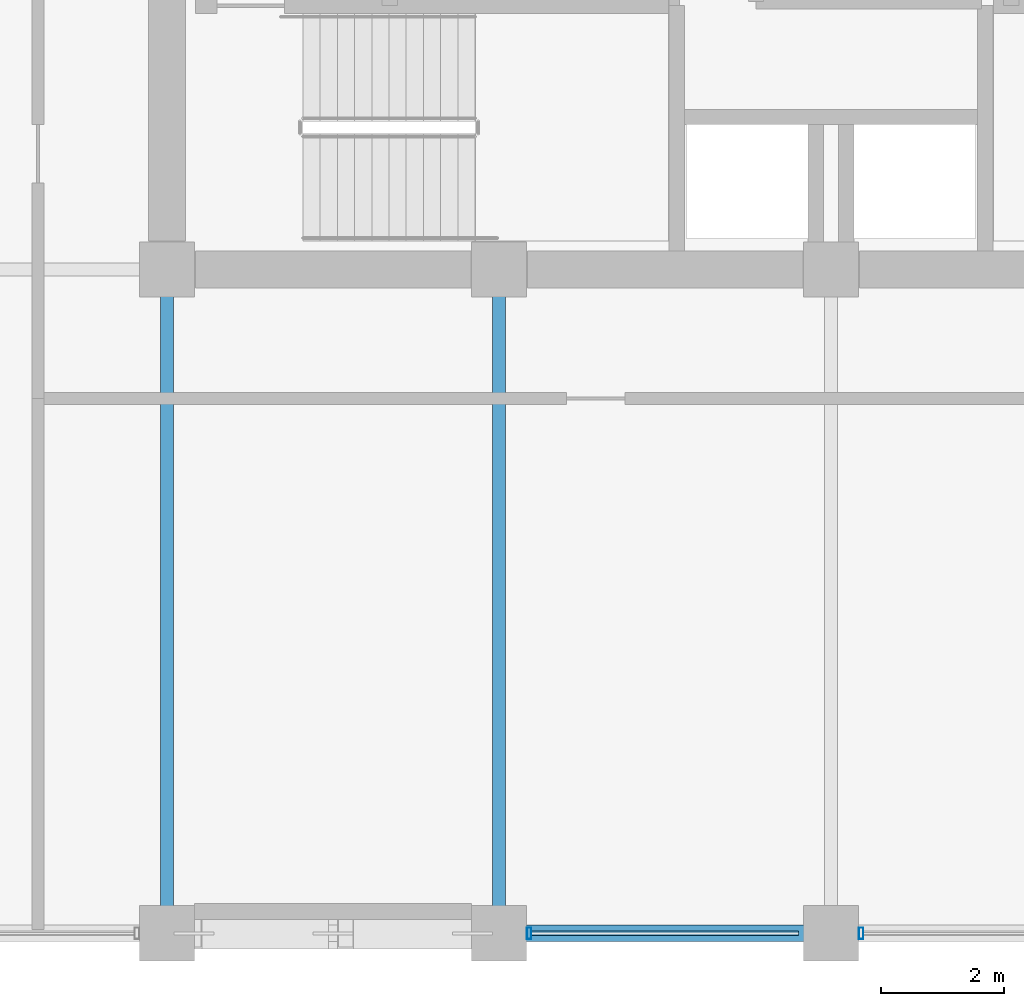
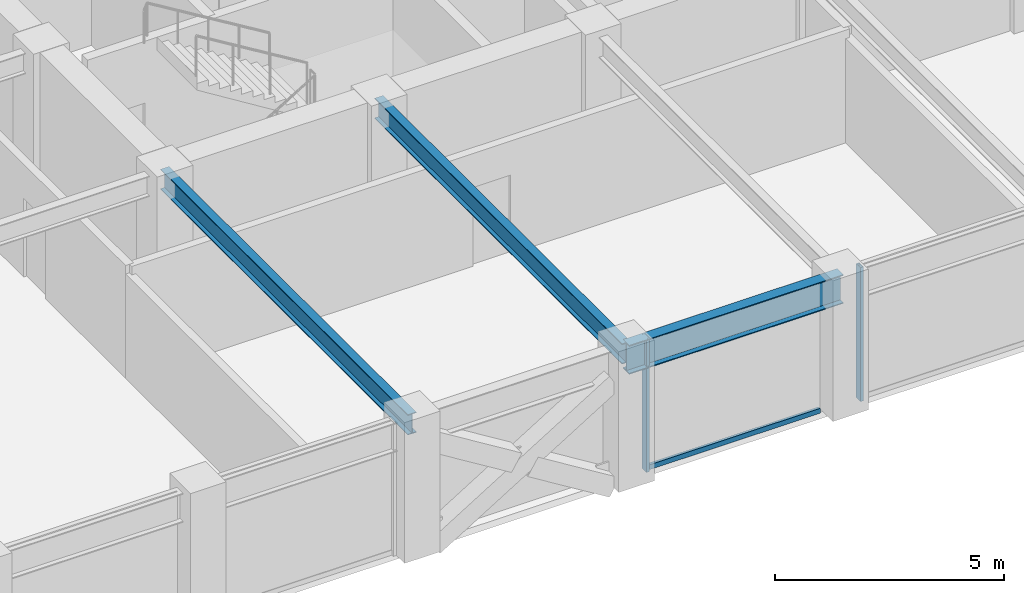
# One storey, part 6 of 32: 3 beams, 3 members, 1 element without a shape of its own.
"""IFC4 building model written with IfcOpenShell, lengths in metres."""

from ifc_helpers import new_model, si_unit, direction, frame, origin, origin_2d, place, context, subcontext, project, spatial, hollow_rectangle, i_section, extrude, material, layer, layer_set, material_profile, profile_set, type_object, element, aggregate, save


model = new_model("IFC4")

# Units and contexts
model_context = context("Model", 3, precision=1e-05, world=origin(), true_north=direction((0.0, 1.0)))
body_context = subcontext(model_context, "Body", "Model", "MODEL_VIEW")
ifc_project = project(units=[si_unit("LENGTHUNIT", "METRE"), si_unit("AREAUNIT", "SQUARE_METRE"), si_unit("VOLUMEUNIT", "CUBIC_METRE"), si_unit("PLANEANGLEUNIT", "RADIAN"), si_unit("MASSUNIT", "GRAM", prefix="KILO")], contexts=[model_context])

# Site, building, storey
site_placement = place(None, origin())
site = spatial("IfcSite", under=ifc_project, at=site_placement, CompositionType="ELEMENT")
building_placement = place(site_placement, origin())
building = spatial("IfcBuilding", under=site, at=building_placement, Name="Surkhivell Harbour Commons", CompositionType="ELEMENT")
storey_placement = place(building_placement, frame((0.0, 0.0, 197.25)))
storey = spatial("IfcBuildingStorey", under=building, at=storey_placement, Name="L51", CompositionType="ELEMENT", Elevation=197.25)

# Beams
ifc_material_1 = material(Name="Steel S355", Category="steel")
ifc_material_profile_1 = material_profile(ifc_material_1, i_section(OverallWidth=0.2119140625, OverallDepth=0.5439453125, WebThickness=0.0126953125, FlangeThickness=0.021240234375, at=origin_2d()), Name="UB533x210x122")
ifc_profile_set_1 = profile_set([ifc_material_profile_1], Name="Steel S355")
beam_type_1 = type_object("IfcBeamType", Name="BM-GRD-533A", PredefinedType="BEAM", material=ifc_profile_set_1)
for number, where, z_axis, x_axis, name in (
    (1, (-10.800048828125, -21.60009765625, 3.298095703125), (0.0, 1.0, 0.0), (-1.0, 0.0, 0.0), "L51 Floor Girder (-10.8,-21.6)"),
    (2, (-5.39990234375, -21.60009765625, 3.298095703125), (0.0, 1.0, 0.0), (-1.0, 0.0, 0.0), "L51 Floor Girder (-5.4,-21.6)"),
):
    element("IfcBeam", number, at=place(storey_placement, frame(where, z_axis=z_axis, x_axis=x_axis)), inside=storey, type_object=beam_type_1, Name=name, PredefinedType="BEAM", context=body_context, shape_type="SweptSolid", body=[
        extrude(i_section(OverallWidth=0.2119140625, OverallDepth=0.5439453125, WebThickness=0.0126953125, FlangeThickness=0.021240234375, at=origin_2d()), origin(), (0.0, 0.0, 1.0), 10.800048828125),
    ])
ifc_material_profile_2 = material_profile(ifc_material_1, i_section(OverallWidth=0.26806640625, OverallDepth=0.77001953125, WebThickness=0.015625, FlangeThickness=0.025390625, at=origin_2d()), Name="UB762x267x197")
ifc_profile_set_2 = profile_set([ifc_material_profile_2], Name="Steel S355")
beam_type_2 = type_object("IfcBeamType", Name="BM-SPN-762", PredefinedType="SPANDREL", material=ifc_profile_set_2)
beam_placement = place(storey_placement, frame((-5.39990234375, -21.60009765625, 3.18505859375), z_axis=(1.0, 0.0, 0.0), x_axis=(0.0, 1.0, 0.0)))
element("IfcBeam", 3, at=beam_placement, inside=storey, type_object=beam_type_2, Name="L51 Tube Spandrel (-5.4,-21.6)", PredefinedType="SPANDREL", context=body_context, shape_type="SweptSolid", body=[
    extrude(i_section(OverallWidth=0.26806640625, OverallDepth=0.77001953125, WebThickness=0.015625, FlangeThickness=0.025390625, at=origin_2d()), origin(), (0.0, 0.0, 1.0), 5.39990234375),
])

# Curtain wall, members
ifc_material_2 = material(Name="Anodised pale-metal aluminium and insulated glazing", Category="aluminium")
ifc_layer = layer(ifc_material_2, 0.18994140625)
ifc_layer_set = layer_set([ifc_layer], Name="Anodised pale-metal aluminium and insulated glazing")
curtain_wall_type = type_object("IfcCurtainWallType", Name="CW-SYS-Z3", PredefinedType="NOTDEFINED", material=ifc_layer_set)
curtain_wall_placement = place(storey_placement, origin())
curtain_wall = element("IfcCurtainWall", 4, at=curtain_wall_placement, inside=storey, type_object=curtain_wall_type, Name="L51 Curtain Wall CW-L51-E00S2", PredefinedType="NOTDEFINED")
ifc_material_3 = material(Name="Anodised pale-metal aluminium alloy 6063-T6", Category="aluminium")
ifc_material_profile_3 = material_profile(ifc_material_3, hollow_rectangle(XDim=0.074951171875, YDim=0.18994140625, WallThickness=0.00390625, at=origin_2d()), Name="ALU-MULL-75x190")
ifc_profile_set_3 = profile_set([ifc_material_profile_3], Name="Anodised pale-metal aluminium alloy 6063-T6")
member_type_1 = type_object("IfcMemberType", Name="CWM-190", PredefinedType="MULLION", material=ifc_profile_set_3)
member_1_placement = place(storey_placement, frame((-4.910400390625, -21.60009765625, 0.0), z_axis=(0.0, 0.0, 1.0), x_axis=(1.0, 0.0, 0.0)))
member_1 = element("IfcMember", 5, at=member_1_placement, type_object=member_type_1, Name="CW-Z3 mullion 1", PredefinedType="MULLION", context=body_context, shape_type="SweptSolid", body=[
    extrude(hollow_rectangle(XDim=0.074951171875, YDim=0.18994140625, WallThickness=0.00390625, at=origin_2d()), origin(), (0.0, 0.0, 1.0), 3.570068359375),
])
member_2_placement = place(storey_placement, frame((0.489501953125, -21.60009765625, 0.0), z_axis=(0.0, 0.0, 1.0), x_axis=(1.0, 0.0, 0.0)))
member_2 = element("IfcMember", 6, at=member_2_placement, type_object=member_type_1, Name="CW-Z3 mullion 2", PredefinedType="MULLION", context=body_context, shape_type="SweptSolid", body=[
    extrude(hollow_rectangle(XDim=0.074951171875, YDim=0.18994140625, WallThickness=0.00390625, at=origin_2d()), origin(), (0.0, 0.0, 1.0), 3.570068359375),
])
ifc_material_4 = material(Name="Champagne anodised aluminium alloy 6063-T6", Category="aluminium")
ifc_material_profile_4 = material_profile(ifc_material_4, hollow_rectangle(XDim=0.070068359375, YDim=0.1298828125, WallThickness=0.00341796875, at=origin_2d()), Name="ALU-TRAN-70x130")
ifc_profile_set_4 = profile_set([ifc_material_profile_4], Name="Champagne anodised aluminium alloy 6063-T6")
member_type_2 = type_object("IfcMemberType", Name="CWT-130", PredefinedType="USERDEFINED", material=ifc_profile_set_4)
member_3_placement = place(storey_placement, frame((-4.873046875, -21.60009765625, 0.06494140625), z_axis=(1.0, 0.0, 0.0), x_axis=(0.0, 1.0, 0.0)))
member_3 = element("IfcMember", 7, at=member_3_placement, type_object=member_type_2, Name="CW-Z3 transom 1.1", ObjectType="TRANSOM", PredefinedType="USERDEFINED", context=body_context, shape_type="SweptSolid", body=[
    extrude(hollow_rectangle(XDim=0.070068359375, YDim=0.1298828125, WallThickness=0.00341796875, at=origin_2d()), origin(), (0.0, 0.0, 1.0), 4.345947265625),
])
aggregate(curtain_wall, [member_1, member_3, member_2])

save(model, "model.ifc")
